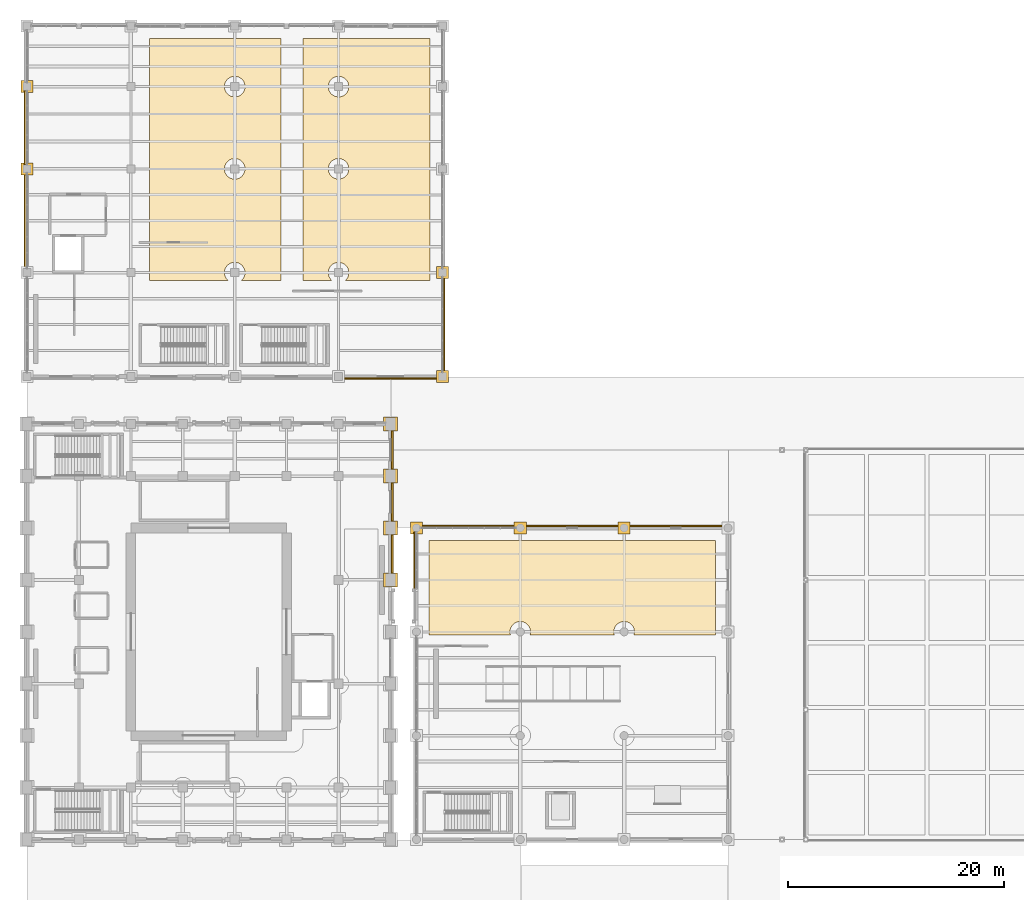
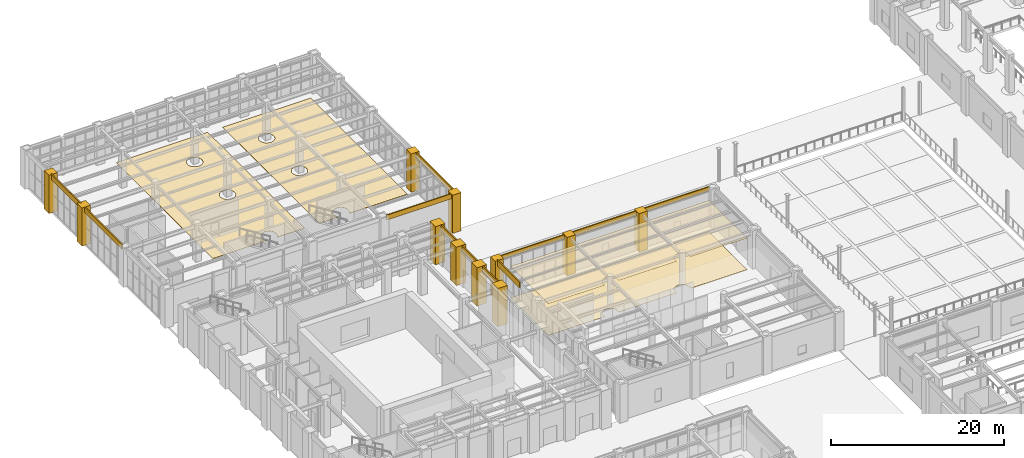
# One storey, part 156 of 164: 26 coverings.
"""IFC4 building model written with IfcOpenShell, lengths in metres."""

from ifc_helpers import new_model, si_unit, direction, frame, origin, place, context, subcontext, project, spatial, polyline, outline, extrude, material, layer, layer_set, type_object, element, save


model = new_model("IFC4")

# Units and contexts
model_context = context("Model", 3, precision=1e-05, world=origin(), true_north=direction((0.0, 1.0)))
body_context = subcontext(model_context, "Body", "Model", "MODEL_VIEW")
ifc_project = project(units=[si_unit("LENGTHUNIT", "METRE"), si_unit("AREAUNIT", "SQUARE_METRE"), si_unit("VOLUMEUNIT", "CUBIC_METRE"), si_unit("PLANEANGLEUNIT", "RADIAN"), si_unit("MASSUNIT", "GRAM", prefix="KILO")], contexts=[model_context])

# Site, building, storey
site_placement = place(None, origin())
site = spatial("IfcSite", under=ifc_project, at=site_placement, CompositionType="ELEMENT")
building_placement = place(site_placement, origin())
building = spatial("IfcBuilding", under=site, at=building_placement, Name="Mavantir Sound Aquarium", CompositionType="ELEMENT")
storey_placement = place(building_placement, origin())
storey = spatial("IfcBuildingStorey", under=building, at=storey_placement, Name="L00", CompositionType="ELEMENT", Elevation=0.0)

# Coverings
ifc_material_1 = material(Name="Moisture-Resistant Acoustic Mineral Fibre Tile")
ifc_layer_1 = layer(ifc_material_1, 0.02490234375, Name="Moisture-Resistant Acoustic Mineral Fibre Tile")
ifc_layer_set_1 = layer_set([ifc_layer_1], Name="Moisture-Resistant Acoustic Mineral Fibre Tile")
covering_type_1 = type_object("IfcCoveringType", Name="COV-CEIL-AC", PredefinedType="CEILING", material=ifc_layer_set_1)
covering_1_placement = place(storey_placement, frame((0.0, 0.0, 4.458984375)))
element("IfcCovering", 1, at=covering_1_placement, inside=storey, type_object=covering_type_1, Name="L00 Abyssal Trench and Nocturnal Reef Exhibit Gallery suspended acoustic ceiling", PredefinedType="CEILING", context=body_context, shape_type="SweptSolid", body=[
    extrude(outline(polyline([(63.659912109375, 68.4599609375), (63.659912109375, 59.699951171875), (56.100341796875, 59.699951171875), (56.109130859375, 59.72412109375), (56.131591796875, 59.814697265625), (56.1455078125, 59.906982421875), (56.14990234375, 60.0), (56.1455078125, 60.093017578125), (56.131591796875, 60.185302734375), (56.109130859375, 60.27587890625), (56.07763671875, 60.363525390625), (56.037841796875, 60.44775390625), (55.989990234375, 60.52783203125), (55.934326171875, 60.602783203125), (55.871826171875, 60.671875), (55.802734375, 60.734375), (55.727783203125, 60.789794921875), (55.647705078125, 60.837890625), (55.5634765625, 60.877685546875), (55.475830078125, 60.9091796875), (55.38525390625, 60.931640625), (55.293212890625, 60.9453125), (55.199951171875, 60.949951171875), (55.10693359375, 60.9453125), (55.0146484375, 60.931640625), (54.92431640625, 60.9091796875), (54.83642578125, 60.877685546875), (54.752197265625, 60.837890625), (54.672119140625, 60.789794921875), (54.597412109375, 60.734375), (54.5283203125, 60.671875), (54.465576171875, 60.602783203125), (54.41015625, 60.52783203125), (54.3623046875, 60.44775390625), (54.322265625, 60.363525390625), (54.291015625, 60.27587890625), (54.268310546875, 60.185302734375), (54.254638671875, 60.093017578125), (54.25, 60.0), (54.254638671875, 59.906982421875), (54.268310546875, 59.814697265625), (54.291015625, 59.72412109375), (54.299560546875, 59.699951171875), (46.50048828125, 59.699951171875), (46.509033203125, 59.72412109375), (46.53173828125, 59.814697265625), (46.54541015625, 59.906982421875), (46.550048828125, 60.0), (46.54541015625, 60.093017578125), (46.53173828125, 60.185302734375), (46.509033203125, 60.27587890625), (46.477783203125, 60.363525390625), (46.437744140625, 60.44775390625), (46.389892578125, 60.52783203125), (46.33447265625, 60.602783203125), (46.271728515625, 60.671875), (46.20263671875, 60.734375), (46.127685546875, 60.789794921875), (46.0478515625, 60.837890625), (45.96337890625, 60.877685546875), (45.875732421875, 60.9091796875), (45.785400390625, 60.931640625), (45.693115234375, 60.9453125), (45.60009765625, 60.949951171875), (45.5068359375, 60.9453125), (45.414794921875, 60.931640625), (45.32421875, 60.9091796875), (45.236572265625, 60.877685546875), (45.152099609375, 60.837890625), (45.072265625, 60.789794921875), (44.997314453125, 60.734375), (44.92822265625, 60.671875), (44.865478515625, 60.602783203125), (44.81005859375, 60.52783203125), (44.76220703125, 60.44775390625), (44.722412109375, 60.363525390625), (44.69091796875, 60.27587890625), (44.668212890625, 60.185302734375), (44.654541015625, 60.093017578125), (44.64990234375, 60.0), (44.654541015625, 59.906982421875), (44.668212890625, 59.814697265625), (44.69091796875, 59.72412109375), (44.69970703125, 59.699951171875), (37.139892578125, 59.699951171875), (37.139892578125, 68.4599609375), (63.659912109375, 68.4599609375)])), origin(), (0.0, 0.0, 1.0), 0.02490234375),
])
ifc_material_2 = material(Name="Honed Coral-Limestone & Glazed Terracotta Rainscreen Cladding", Category="masonry")
ifc_layer_2 = layer(ifc_material_2, 0.06005859375, Name="Honed Coral-Limestone & Glazed Terracotta Rainscreen Cladding")
ifc_layer_set_2 = layer_set([ifc_layer_2], Name="Honed Coral-Limestone & Glazed Terracotta Rainscreen Cladding")
covering_type_2 = type_object("IfcCoveringType", Name="COV-CLAD-TC", PredefinedType="CLADDING", material=ifc_layer_set_2)
covering_2_placement = place(storey_placement, frame((0.0, 0.0, 4.60791015625)))
element("IfcCovering", 2, at=covering_2_placement, inside=storey, type_object=covering_type_2, Name="L00 Postmodern coral-limestone spandrel frieze 6", PredefinedType="CLADDING", context=body_context, shape_type="SweptSolid", body=[
    extrude(outline(polyline([(33.68994140625, 65.407958984375), (33.68994140625, 68.991943359375), (33.840087890625, 68.991943359375), (33.840087890625, 65.407958984375), (33.68994140625, 65.407958984375)])), origin(), (0.0, 0.0, 1.0), 0.7919921875),
])
covering_3_placement = place(storey_placement, frame((0.0, 0.0, 4.60791015625)))
element("IfcCovering", 3, at=covering_3_placement, inside=storey, type_object=covering_type_2, Name="L00 Postmodern coral-limestone spandrel frieze 7", PredefinedType="CLADDING", context=body_context, shape_type="SweptSolid", body=[
    extrude(outline(polyline([(33.68994140625, 70.2080078125), (33.68994140625, 73.7919921875), (33.840087890625, 73.7919921875), (33.840087890625, 70.2080078125), (33.68994140625, 70.2080078125)])), origin(), (0.0, 0.0, 1.0), 0.7919921875),
])
covering_4_placement = place(storey_placement, frame((0.0, 0.0, 4.60595703125)))
element("IfcCovering", 4, at=covering_4_placement, inside=storey, type_object=covering_type_2, Name="L00 Postmodern coral-limestone spandrel frieze 8", PredefinedType="CLADDING", context=body_context, shape_type="SweptSolid", body=[
    extrude(outline(polyline([(33.68994140625, 75.008056640625), (33.68994140625, 78.592041015625), (33.840087890625, 78.592041015625), (33.840087890625, 75.008056640625), (33.68994140625, 75.008056640625)])), origin(), (0.0, 0.0, 1.0), 0.7939453125),
])
covering_5_placement = place(storey_placement, frame((0.0, 0.0, 4.81298828125)))
element("IfcCovering", 5, at=covering_5_placement, inside=storey, type_object=covering_type_2, Name="L00 Postmodern coral-limestone spandrel frieze 34", PredefinedType="CLADDING", context=body_context, shape_type="SweptSolid", body=[
    extrude(outline(polyline([(64.4169921875, 69.68994140625), (55.5830078125, 69.68994140625), (55.5830078125, 69.840087890625), (64.4169921875, 69.840087890625), (64.4169921875, 69.68994140625)])), origin(), (0.0, 0.0, 1.0), 0.5869140625),
])
covering_6_placement = place(storey_placement, frame((0.0, 0.0, 4.7080078125)))
element("IfcCovering", 6, at=covering_6_placement, inside=storey, type_object=covering_type_2, Name="L00 Postmodern coral-limestone spandrel frieze 35", PredefinedType="CLADDING", context=body_context, shape_type="SweptSolid", body=[
    extrude(outline(polyline([(54.81689453125, 69.68994140625), (45.98291015625, 69.68994140625), (45.98291015625, 69.840087890625), (54.81689453125, 69.840087890625), (54.81689453125, 69.68994140625)])), origin(), (0.0, 0.0, 1.0), 0.69189453125),
])
covering_7_placement = place(storey_placement, frame((0.0, 0.0, 4.81298828125)))
element("IfcCovering", 7, at=covering_7_placement, inside=storey, type_object=covering_type_2, Name="L00 Postmodern coral-limestone spandrel frieze 36", PredefinedType="CLADDING", context=body_context, shape_type="SweptSolid", body=[
    extrude(outline(polyline([(45.217041015625, 69.68994140625), (36.383056640625, 69.68994140625), (36.383056640625, 69.840087890625), (45.217041015625, 69.840087890625), (45.217041015625, 69.68994140625)])), origin(), (0.0, 0.0, 1.0), 0.5869140625),
])
covering_8_placement = place(storey_placement, frame((0.0, 0.0, 4.571044921875)))
element("IfcCovering", 8, at=covering_8_placement, inside=storey, type_object=covering_type_2, Name="L00 Postmodern coral-limestone spandrel frieze 37", PredefinedType="CLADDING", context=body_context, shape_type="SweptSolid", body=[
    extrude(outline(polyline([(35.909912109375, 69.217041015625), (35.909912109375, 63.98291015625), (35.760009765625, 63.98291015625), (35.760009765625, 69.217041015625), (35.909912109375, 69.217041015625)])), origin(), (0.0, 0.0, 1.0), 0.828857421875),
])
covering_9_placement = place(storey_placement, frame((0.0, 0.0, 4.59912109375)))
element("IfcCovering", 9, at=covering_9_placement, inside=storey, type_object=covering_type_2, Name="L00 Postmodern coral-limestone spandrel frieze 101", PredefinedType="CLADDING", context=body_context, shape_type="SweptSolid", body=[
    extrude(outline(polyline([(38.489990234375, 83.98291015625), (38.489990234375, 92.81689453125), (38.639892578125, 92.81689453125), (38.639892578125, 83.98291015625), (38.489990234375, 83.98291015625)])), origin(), (0.0, 0.0, 1.0), 0.80078125),
])
covering_10_placement = place(storey_placement, frame((0.0, 0.0, 4.6630859375)))
element("IfcCovering", 10, at=covering_10_placement, inside=storey, type_object=covering_type_2, Name="L00 Postmodern coral-limestone spandrel frieze 114", PredefinedType="CLADDING", context=body_context, shape_type="SweptSolid", body=[
    extrude(outline(polyline([(-0.090087890625, 110.01708984375), (-0.090087890625, 103.18310546875), (-0.239990234375, 103.18310546875), (-0.239990234375, 110.01708984375), (-0.090087890625, 110.01708984375)])), origin(), (0.0, 0.0, 1.0), 0.73681640625),
])
covering_11_placement = place(storey_placement, frame((0.0, 0.0, 4.7060546875)))
element("IfcCovering", 11, at=covering_11_placement, inside=storey, type_object=covering_type_2, Name="L00 Postmodern coral-limestone spandrel frieze 115", PredefinedType="CLADDING", context=body_context, shape_type="SweptSolid", body=[
    extrude(outline(polyline([(-0.090087890625, 102.4169921875), (-0.090087890625, 93.5830078125), (-0.239990234375, 93.5830078125), (-0.239990234375, 102.4169921875), (-0.090087890625, 102.4169921875)])), origin(), (0.0, 0.0, 1.0), 0.69384765625),
])
covering_12_placement = place(storey_placement, frame((0.0, 0.0, 4.7080078125)))
element("IfcCovering", 12, at=covering_12_placement, inside=storey, type_object=covering_type_2, Name="L00 Postmodern coral-limestone spandrel frieze 122", PredefinedType="CLADDING", context=body_context, shape_type="SweptSolid", body=[
    extrude(outline(polyline([(29.18310546875, 83.510009765625), (38.01708984375, 83.510009765625), (38.01708984375, 83.360107421875), (29.18310546875, 83.360107421875), (29.18310546875, 83.510009765625)])), origin(), (0.0, 0.0, 1.0), 0.69189453125),
])
covering_13_placement = place(storey_placement, origin())
element("IfcCovering", 13, at=covering_13_placement, inside=storey, type_object=covering_type_2, Name="L00 Postmodern coral-limestone pilaster casing 105", PredefinedType="CLADDING", context=body_context, shape_type="SweptSolid", body=[
    extrude(outline(polyline([(32.949951171875, 64.14990234375), (34.25, 64.14990234375), (34.25, 65.449951171875), (32.949951171875, 65.449951171875), (32.949951171875, 64.14990234375)])), origin(), (0.0, 0.0, 1.0), 5.39990234375),
])
covering_14_placement = place(storey_placement, origin())
element("IfcCovering", 14, at=covering_14_placement, inside=storey, type_object=covering_type_2, Name="L00 Postmodern coral-limestone pilaster casing 109", PredefinedType="CLADDING", context=body_context, shape_type="SweptSolid", body=[
    extrude(outline(polyline([(32.949951171875, 68.949951171875), (34.25, 68.949951171875), (34.25, 70.25), (32.949951171875, 70.25), (32.949951171875, 68.949951171875)])), origin(), (0.0, 0.0, 1.0), 5.39990234375),
])
covering_15_placement = place(storey_placement, origin())
element("IfcCovering", 15, at=covering_15_placement, inside=storey, type_object=covering_type_2, Name="L00 Postmodern coral-limestone pilaster casing 113", PredefinedType="CLADDING", context=body_context, shape_type="SweptSolid", body=[
    extrude(outline(polyline([(32.949951171875, 73.75), (34.25, 73.75), (34.25, 75.050048828125), (32.949951171875, 75.050048828125), (32.949951171875, 73.75)])), origin(), (0.0, 0.0, 1.0), 5.39990234375),
])
covering_16_placement = place(storey_placement, origin())
element("IfcCovering", 16, at=covering_16_placement, inside=storey, type_object=covering_type_2, Name="L00 Postmodern coral-limestone pilaster casing 117", PredefinedType="CLADDING", context=body_context, shape_type="SweptSolid", body=[
    extrude(outline(polyline([(32.949951171875, 78.550048828125), (34.25, 78.550048828125), (34.25, 79.85009765625), (32.949951171875, 79.85009765625), (32.949951171875, 78.550048828125)])), origin(), (0.0, 0.0, 1.0), 5.39990234375),
])
covering_17_placement = place(storey_placement, origin())
element("IfcCovering", 17, at=covering_17_placement, inside=storey, type_object=covering_type_2, Name="L00 Postmodern coral-limestone pilaster casing 132", PredefinedType="CLADDING", context=body_context, shape_type="SweptSolid", body=[
    extrude(outline(polyline([(35.43994140625, 69.0400390625), (36.56005859375, 69.0400390625), (36.56005859375, 70.159912109375), (35.43994140625, 70.159912109375), (35.43994140625, 69.0400390625)])), origin(), (0.0, 0.0, 1.0), 5.39990234375),
])
covering_18_placement = place(storey_placement, origin())
element("IfcCovering", 18, at=covering_18_placement, inside=storey, type_object=covering_type_2, Name="L00 Postmodern coral-limestone pilaster casing 140", PredefinedType="CLADDING", context=body_context, shape_type="SweptSolid", body=[
    extrude(outline(polyline([(45.0400390625, 69.0400390625), (46.159912109375, 69.0400390625), (46.159912109375, 70.159912109375), (45.0400390625, 70.159912109375), (45.0400390625, 69.0400390625)])), origin(), (0.0, 0.0, 1.0), 5.39990234375),
])
covering_19_placement = place(storey_placement, origin())
element("IfcCovering", 19, at=covering_19_placement, inside=storey, type_object=covering_type_2, Name="L00 Postmodern coral-limestone pilaster casing 149", PredefinedType="CLADDING", context=body_context, shape_type="SweptSolid", body=[
    extrude(outline(polyline([(54.639892578125, 69.0400390625), (55.760009765625, 69.0400390625), (55.760009765625, 70.159912109375), (54.639892578125, 70.159912109375), (54.639892578125, 69.0400390625)])), origin(), (0.0, 0.0, 1.0), 5.39990234375),
])
covering_20_placement = place(storey_placement, origin())
element("IfcCovering", 20, at=covering_20_placement, inside=storey, type_object=covering_type_2, Name="L00 Postmodern coral-limestone pilaster casing 355", PredefinedType="CLADDING", context=body_context, shape_type="SweptSolid", body=[
    extrude(outline(polyline([(-0.56005859375, 102.239990234375), (0.56005859375, 102.239990234375), (0.56005859375, 103.360107421875), (-0.56005859375, 103.360107421875), (-0.56005859375, 102.239990234375)])), origin(), (0.0, 0.0, 1.0), 5.39990234375),
])
covering_21_placement = place(storey_placement, origin())
element("IfcCovering", 21, at=covering_21_placement, inside=storey, type_object=covering_type_2, Name="L00 Postmodern coral-limestone pilaster casing 361", PredefinedType="CLADDING", context=body_context, shape_type="SweptSolid", body=[
    extrude(outline(polyline([(-0.56005859375, 109.840087890625), (0.56005859375, 109.840087890625), (0.56005859375, 110.9599609375), (-0.56005859375, 110.9599609375), (-0.56005859375, 109.840087890625)])), origin(), (0.0, 0.0, 1.0), 5.39990234375),
])
covering_22_placement = place(storey_placement, origin())
element("IfcCovering", 22, at=covering_22_placement, inside=storey, type_object=covering_type_2, Name="L00 Postmodern coral-limestone pilaster casing 407", PredefinedType="CLADDING", context=body_context, shape_type="SweptSolid", body=[
    extrude(outline(polyline([(37.840087890625, 83.0400390625), (38.9599609375, 83.0400390625), (38.9599609375, 84.159912109375), (37.840087890625, 84.159912109375), (37.840087890625, 83.0400390625)])), origin(), (0.0, 0.0, 1.0), 5.39990234375),
])
covering_23_placement = place(storey_placement, origin())
element("IfcCovering", 23, at=covering_23_placement, inside=storey, type_object=covering_type_2, Name="L00 Postmodern coral-limestone pilaster casing 409", PredefinedType="CLADDING", context=body_context, shape_type="SweptSolid", body=[
    extrude(outline(polyline([(37.840087890625, 92.639892578125), (38.9599609375, 92.639892578125), (38.9599609375, 93.760009765625), (37.840087890625, 93.760009765625), (37.840087890625, 92.639892578125)])), origin(), (0.0, 0.0, 1.0), 5.39990234375),
])
ifc_material_3 = material(Name="Marine Epoxy Recycled-Shell Terrazzo Flooring")
ifc_layer_3 = layer(ifc_material_3, 0.030029296875, Name="Marine Epoxy Recycled-Shell Terrazzo Flooring")
ifc_layer_set_3 = layer_set([ifc_layer_3], Name="Marine Epoxy Recycled-Shell Terrazzo Flooring")
covering_type_3 = type_object("IfcCoveringType", Name="COV-FLR-TZ", PredefinedType="FLOORING", material=ifc_layer_set_3)
covering_24_placement = place(storey_placement, origin())
element("IfcCovering", 24, at=covering_24_placement, inside=storey, type_object=covering_type_3, Name="L00 Abyssal Trench and Nocturnal Reef Exhibit Gallery terrazzo flooring", PredefinedType="FLOORING", context=body_context, shape_type="SweptSolid", body=[
    extrude(outline(polyline([(63.659912109375, 68.4599609375), (63.659912109375, 59.699951171875), (56.100341796875, 59.699951171875), (56.109130859375, 59.72412109375), (56.131591796875, 59.814697265625), (56.1455078125, 59.906982421875), (56.14990234375, 60.0), (56.1455078125, 60.093017578125), (56.131591796875, 60.185302734375), (56.109130859375, 60.27587890625), (56.07763671875, 60.363525390625), (56.037841796875, 60.44775390625), (55.989990234375, 60.52783203125), (55.934326171875, 60.602783203125), (55.871826171875, 60.671875), (55.802734375, 60.734375), (55.727783203125, 60.789794921875), (55.647705078125, 60.837890625), (55.5634765625, 60.877685546875), (55.475830078125, 60.9091796875), (55.38525390625, 60.931640625), (55.293212890625, 60.9453125), (55.199951171875, 60.949951171875), (55.10693359375, 60.9453125), (55.0146484375, 60.931640625), (54.92431640625, 60.9091796875), (54.83642578125, 60.877685546875), (54.752197265625, 60.837890625), (54.672119140625, 60.789794921875), (54.597412109375, 60.734375), (54.5283203125, 60.671875), (54.465576171875, 60.602783203125), (54.41015625, 60.52783203125), (54.3623046875, 60.44775390625), (54.322265625, 60.363525390625), (54.291015625, 60.27587890625), (54.268310546875, 60.185302734375), (54.254638671875, 60.093017578125), (54.25, 60.0), (54.254638671875, 59.906982421875), (54.268310546875, 59.814697265625), (54.291015625, 59.72412109375), (54.299560546875, 59.699951171875), (46.50048828125, 59.699951171875), (46.509033203125, 59.72412109375), (46.53173828125, 59.814697265625), (46.54541015625, 59.906982421875), (46.550048828125, 60.0), (46.54541015625, 60.093017578125), (46.53173828125, 60.185302734375), (46.509033203125, 60.27587890625), (46.477783203125, 60.363525390625), (46.437744140625, 60.44775390625), (46.389892578125, 60.52783203125), (46.33447265625, 60.602783203125), (46.271728515625, 60.671875), (46.20263671875, 60.734375), (46.127685546875, 60.789794921875), (46.0478515625, 60.837890625), (45.96337890625, 60.877685546875), (45.875732421875, 60.9091796875), (45.785400390625, 60.931640625), (45.693115234375, 60.9453125), (45.60009765625, 60.949951171875), (45.5068359375, 60.9453125), (45.414794921875, 60.931640625), (45.32421875, 60.9091796875), (45.236572265625, 60.877685546875), (45.152099609375, 60.837890625), (45.072265625, 60.789794921875), (44.997314453125, 60.734375), (44.92822265625, 60.671875), (44.865478515625, 60.602783203125), (44.81005859375, 60.52783203125), (44.76220703125, 60.44775390625), (44.722412109375, 60.363525390625), (44.69091796875, 60.27587890625), (44.668212890625, 60.185302734375), (44.654541015625, 60.093017578125), (44.64990234375, 60.0), (44.654541015625, 59.906982421875), (44.668212890625, 59.814697265625), (44.69091796875, 59.72412109375), (44.69970703125, 59.699951171875), (37.139892578125, 59.699951171875), (37.139892578125, 68.4599609375), (63.659912109375, 68.4599609375)])), origin(), (0.0, 0.0, 1.0), 0.030029296875),
])
covering_25_placement = place(storey_placement, origin())
element("IfcCovering", 25, at=covering_25_placement, inside=storey, type_object=covering_type_3, Name="L00 Waterfront Harbour Cafe and Coastal Dining Room terrazzo flooring", PredefinedType="FLOORING", context=body_context, shape_type="SweptSolid", body=[
    extrude(outline(polyline([(11.300048828125, 114.860107421875), (23.5, 114.860107421875), (23.5, 92.5), (19.840576171875, 92.5), (19.871826171875, 92.5283203125), (19.934326171875, 92.597412109375), (19.989990234375, 92.672119140625), (20.037841796875, 92.752197265625), (20.07763671875, 92.83642578125), (20.109130859375, 92.92431640625), (20.131591796875, 93.0146484375), (20.1455078125, 93.10693359375), (20.14990234375, 93.199951171875), (20.1455078125, 93.293212890625), (20.131591796875, 93.38525390625), (20.109130859375, 93.475830078125), (20.07763671875, 93.5634765625), (20.037841796875, 93.647705078125), (19.989990234375, 93.727783203125), (19.934326171875, 93.802734375), (19.871826171875, 93.871826171875), (19.802734375, 93.934326171875), (19.727783203125, 93.989990234375), (19.647705078125, 94.037841796875), (19.5634765625, 94.07763671875), (19.475830078125, 94.109130859375), (19.38525390625, 94.131591796875), (19.293212890625, 94.1455078125), (19.199951171875, 94.14990234375), (19.10693359375, 94.1455078125), (19.0146484375, 94.131591796875), (18.92431640625, 94.109130859375), (18.83642578125, 94.07763671875), (18.752197265625, 94.037841796875), (18.672119140625, 93.989990234375), (18.597412109375, 93.934326171875), (18.5283203125, 93.871826171875), (18.465576171875, 93.802734375), (18.41015625, 93.727783203125), (18.3623046875, 93.647705078125), (18.322265625, 93.5634765625), (18.291015625, 93.475830078125), (18.268310546875, 93.38525390625), (18.254638671875, 93.293212890625), (18.25, 93.199951171875), (18.254638671875, 93.10693359375), (18.268310546875, 93.0146484375), (18.291015625, 92.92431640625), (18.322265625, 92.83642578125), (18.3623046875, 92.752197265625), (18.41015625, 92.672119140625), (18.465576171875, 92.597412109375), (18.5283203125, 92.5283203125), (18.559326171875, 92.5), (11.300048828125, 92.5), (11.300048828125, 114.860107421875)]), holes=[polyline([(19.871826171875, 102.128173828125), (19.934326171875, 102.197265625), (19.989990234375, 102.272216796875), (20.037841796875, 102.352294921875), (20.07763671875, 102.4365234375), (20.109130859375, 102.524169921875), (20.131591796875, 102.61474609375), (20.1455078125, 102.706787109375), (20.14990234375, 102.800048828125), (20.1455078125, 102.89306640625), (20.131591796875, 102.9853515625), (20.109130859375, 103.07568359375), (20.07763671875, 103.16357421875), (20.037841796875, 103.247802734375), (19.989990234375, 103.327880859375), (19.934326171875, 103.402587890625), (19.871826171875, 103.4716796875), (19.802734375, 103.534423828125), (19.727783203125, 103.58984375), (19.647705078125, 103.6376953125), (19.5634765625, 103.677734375), (19.475830078125, 103.708984375), (19.38525390625, 103.731689453125), (19.293212890625, 103.745361328125), (19.199951171875, 103.75), (19.10693359375, 103.745361328125), (19.0146484375, 103.731689453125), (18.92431640625, 103.708984375), (18.83642578125, 103.677734375), (18.752197265625, 103.6376953125), (18.672119140625, 103.58984375), (18.597412109375, 103.534423828125), (18.5283203125, 103.4716796875), (18.465576171875, 103.402587890625), (18.41015625, 103.327880859375), (18.3623046875, 103.247802734375), (18.322265625, 103.16357421875), (18.291015625, 103.07568359375), (18.268310546875, 102.9853515625), (18.254638671875, 102.89306640625), (18.25, 102.800048828125), (18.254638671875, 102.706787109375), (18.268310546875, 102.61474609375), (18.291015625, 102.524169921875), (18.322265625, 102.4365234375), (18.3623046875, 102.352294921875), (18.41015625, 102.272216796875), (18.465576171875, 102.197265625), (18.5283203125, 102.128173828125), (18.597412109375, 102.065673828125), (18.672119140625, 102.010009765625), (18.752197265625, 101.962158203125), (18.83642578125, 101.92236328125), (18.92431640625, 101.890869140625), (19.0146484375, 101.868408203125), (19.10693359375, 101.8544921875), (19.199951171875, 101.85009765625), (19.293212890625, 101.8544921875), (19.38525390625, 101.868408203125), (19.475830078125, 101.890869140625), (19.5634765625, 101.92236328125), (19.647705078125, 101.962158203125), (19.727783203125, 102.010009765625), (19.802734375, 102.065673828125), (19.871826171875, 102.128173828125)]), polyline([(19.934326171875, 109.79736328125), (19.989990234375, 109.872314453125), (20.037841796875, 109.9521484375), (20.07763671875, 110.03662109375), (20.109130859375, 110.124267578125), (20.131591796875, 110.214599609375), (20.1455078125, 110.306884765625), (20.14990234375, 110.39990234375), (20.1455078125, 110.4931640625), (20.131591796875, 110.585205078125), (20.109130859375, 110.67578125), (20.07763671875, 110.763427734375), (20.037841796875, 110.847900390625), (19.989990234375, 110.927734375), (19.934326171875, 111.002685546875), (19.871826171875, 111.07177734375), (19.802734375, 111.134521484375), (19.727783203125, 111.18994140625), (19.647705078125, 111.23779296875), (19.5634765625, 111.277587890625), (19.475830078125, 111.30908203125), (19.38525390625, 111.331787109375), (19.293212890625, 111.345458984375), (19.199951171875, 111.35009765625), (19.10693359375, 111.345458984375), (19.0146484375, 111.331787109375), (18.92431640625, 111.30908203125), (18.83642578125, 111.277587890625), (18.752197265625, 111.23779296875), (18.672119140625, 111.18994140625), (18.597412109375, 111.134521484375), (18.5283203125, 111.07177734375), (18.465576171875, 111.002685546875), (18.41015625, 110.927734375), (18.3623046875, 110.847900390625), (18.322265625, 110.763427734375), (18.291015625, 110.67578125), (18.268310546875, 110.585205078125), (18.254638671875, 110.4931640625), (18.25, 110.39990234375), (18.254638671875, 110.306884765625), (18.268310546875, 110.214599609375), (18.291015625, 110.124267578125), (18.322265625, 110.03662109375), (18.3623046875, 109.9521484375), (18.41015625, 109.872314453125), (18.465576171875, 109.79736328125), (18.5283203125, 109.728271484375), (18.597412109375, 109.66552734375), (18.672119140625, 109.610107421875), (18.752197265625, 109.562255859375), (18.83642578125, 109.522216796875), (18.92431640625, 109.490966796875), (19.0146484375, 109.46826171875), (19.10693359375, 109.45458984375), (19.199951171875, 109.449951171875), (19.293212890625, 109.45458984375), (19.38525390625, 109.46826171875), (19.475830078125, 109.490966796875), (19.5634765625, 109.522216796875), (19.647705078125, 109.562255859375), (19.727783203125, 109.610107421875), (19.802734375, 109.66552734375), (19.871826171875, 109.728271484375), (19.934326171875, 109.79736328125)])]), origin(), (0.0, 0.0, 1.0), 0.030029296875),
])
covering_26_placement = place(storey_placement, origin())
element("IfcCovering", 26, at=covering_26_placement, inside=storey, type_object=covering_type_3, Name="L00 Aquarium Gift Shop and Marine Bookshop terrazzo flooring", PredefinedType="FLOORING", context=body_context, shape_type="SweptSolid", body=[
    extrude(outline(polyline([(37.260009765625, 114.860107421875), (37.260009765625, 92.5), (29.440673828125, 92.5), (29.4716796875, 92.5283203125), (29.534423828125, 92.597412109375), (29.58984375, 92.672119140625), (29.6376953125, 92.752197265625), (29.677734375, 92.83642578125), (29.708984375, 92.92431640625), (29.731689453125, 93.0146484375), (29.745361328125, 93.10693359375), (29.75, 93.199951171875), (29.745361328125, 93.293212890625), (29.731689453125, 93.38525390625), (29.708984375, 93.475830078125), (29.677734375, 93.5634765625), (29.6376953125, 93.647705078125), (29.58984375, 93.727783203125), (29.534423828125, 93.802734375), (29.4716796875, 93.871826171875), (29.402587890625, 93.934326171875), (29.327880859375, 93.989990234375), (29.247802734375, 94.037841796875), (29.16357421875, 94.07763671875), (29.07568359375, 94.109130859375), (28.9853515625, 94.131591796875), (28.89306640625, 94.1455078125), (28.800048828125, 94.14990234375), (28.706787109375, 94.1455078125), (28.61474609375, 94.131591796875), (28.524169921875, 94.109130859375), (28.4365234375, 94.07763671875), (28.352294921875, 94.037841796875), (28.272216796875, 93.989990234375), (28.197265625, 93.934326171875), (28.128173828125, 93.871826171875), (28.065673828125, 93.802734375), (28.010009765625, 93.727783203125), (27.962158203125, 93.647705078125), (27.92236328125, 93.5634765625), (27.890869140625, 93.475830078125), (27.868408203125, 93.38525390625), (27.8544921875, 93.293212890625), (27.85009765625, 93.199951171875), (27.8544921875, 93.10693359375), (27.868408203125, 93.0146484375), (27.890869140625, 92.92431640625), (27.92236328125, 92.83642578125), (27.962158203125, 92.752197265625), (28.010009765625, 92.672119140625), (28.065673828125, 92.597412109375), (28.128173828125, 92.5283203125), (28.159423828125, 92.5), (25.5, 92.5), (25.5, 114.860107421875), (37.260009765625, 114.860107421875)]), holes=[polyline([(29.534423828125, 102.197265625), (29.58984375, 102.272216796875), (29.6376953125, 102.352294921875), (29.677734375, 102.4365234375), (29.708984375, 102.524169921875), (29.731689453125, 102.61474609375), (29.745361328125, 102.706787109375), (29.75, 102.800048828125), (29.745361328125, 102.89306640625), (29.731689453125, 102.9853515625), (29.708984375, 103.07568359375), (29.677734375, 103.16357421875), (29.6376953125, 103.247802734375), (29.58984375, 103.327880859375), (29.534423828125, 103.402587890625), (29.4716796875, 103.4716796875), (29.402587890625, 103.534423828125), (29.327880859375, 103.58984375), (29.247802734375, 103.6376953125), (29.16357421875, 103.677734375), (29.07568359375, 103.708984375), (28.9853515625, 103.731689453125), (28.89306640625, 103.745361328125), (28.800048828125, 103.75), (28.706787109375, 103.745361328125), (28.61474609375, 103.731689453125), (28.524169921875, 103.708984375), (28.4365234375, 103.677734375), (28.352294921875, 103.6376953125), (28.272216796875, 103.58984375), (28.197265625, 103.534423828125), (28.128173828125, 103.4716796875), (28.065673828125, 103.402587890625), (28.010009765625, 103.327880859375), (27.962158203125, 103.247802734375), (27.92236328125, 103.16357421875), (27.890869140625, 103.07568359375), (27.868408203125, 102.9853515625), (27.8544921875, 102.89306640625), (27.85009765625, 102.800048828125), (27.8544921875, 102.706787109375), (27.868408203125, 102.61474609375), (27.890869140625, 102.524169921875), (27.92236328125, 102.4365234375), (27.962158203125, 102.352294921875), (28.010009765625, 102.272216796875), (28.065673828125, 102.197265625), (28.128173828125, 102.128173828125), (28.197265625, 102.065673828125), (28.272216796875, 102.010009765625), (28.352294921875, 101.962158203125), (28.4365234375, 101.92236328125), (28.524169921875, 101.890869140625), (28.61474609375, 101.868408203125), (28.706787109375, 101.8544921875), (28.800048828125, 101.85009765625), (28.89306640625, 101.8544921875), (28.9853515625, 101.868408203125), (29.07568359375, 101.890869140625), (29.16357421875, 101.92236328125), (29.247802734375, 101.962158203125), (29.327880859375, 102.010009765625), (29.402587890625, 102.065673828125), (29.4716796875, 102.128173828125), (29.534423828125, 102.197265625)]), polyline([(29.534423828125, 109.79736328125), (29.58984375, 109.872314453125), (29.6376953125, 109.9521484375), (29.677734375, 110.03662109375), (29.708984375, 110.124267578125), (29.731689453125, 110.214599609375), (29.745361328125, 110.306884765625), (29.75, 110.39990234375), (29.745361328125, 110.4931640625), (29.731689453125, 110.585205078125), (29.708984375, 110.67578125), (29.677734375, 110.763427734375), (29.6376953125, 110.847900390625), (29.58984375, 110.927734375), (29.534423828125, 111.002685546875), (29.4716796875, 111.07177734375), (29.402587890625, 111.134521484375), (29.327880859375, 111.18994140625), (29.247802734375, 111.23779296875), (29.16357421875, 111.277587890625), (29.07568359375, 111.30908203125), (28.9853515625, 111.331787109375), (28.89306640625, 111.345458984375), (28.800048828125, 111.35009765625), (28.706787109375, 111.345458984375), (28.61474609375, 111.331787109375), (28.524169921875, 111.30908203125), (28.4365234375, 111.277587890625), (28.352294921875, 111.23779296875), (28.272216796875, 111.18994140625), (28.197265625, 111.134521484375), (28.128173828125, 111.07177734375), (28.065673828125, 111.002685546875), (28.010009765625, 110.927734375), (27.962158203125, 110.847900390625), (27.92236328125, 110.763427734375), (27.890869140625, 110.67578125), (27.868408203125, 110.585205078125), (27.8544921875, 110.4931640625), (27.85009765625, 110.39990234375), (27.8544921875, 110.306884765625), (27.868408203125, 110.214599609375), (27.890869140625, 110.124267578125), (27.92236328125, 110.03662109375), (27.962158203125, 109.9521484375), (28.010009765625, 109.872314453125), (28.065673828125, 109.79736328125), (28.128173828125, 109.728271484375), (28.197265625, 109.66552734375), (28.272216796875, 109.610107421875), (28.352294921875, 109.562255859375), (28.4365234375, 109.522216796875), (28.524169921875, 109.490966796875), (28.61474609375, 109.46826171875), (28.706787109375, 109.45458984375), (28.800048828125, 109.449951171875), (28.89306640625, 109.45458984375), (28.9853515625, 109.46826171875), (29.07568359375, 109.490966796875), (29.16357421875, 109.522216796875), (29.247802734375, 109.562255859375), (29.327880859375, 109.610107421875), (29.402587890625, 109.66552734375), (29.4716796875, 109.728271484375), (29.534423828125, 109.79736328125)])]), origin(), (0.0, 0.0, 1.0), 0.030029296875),
])

save(model, "model.ifc")
